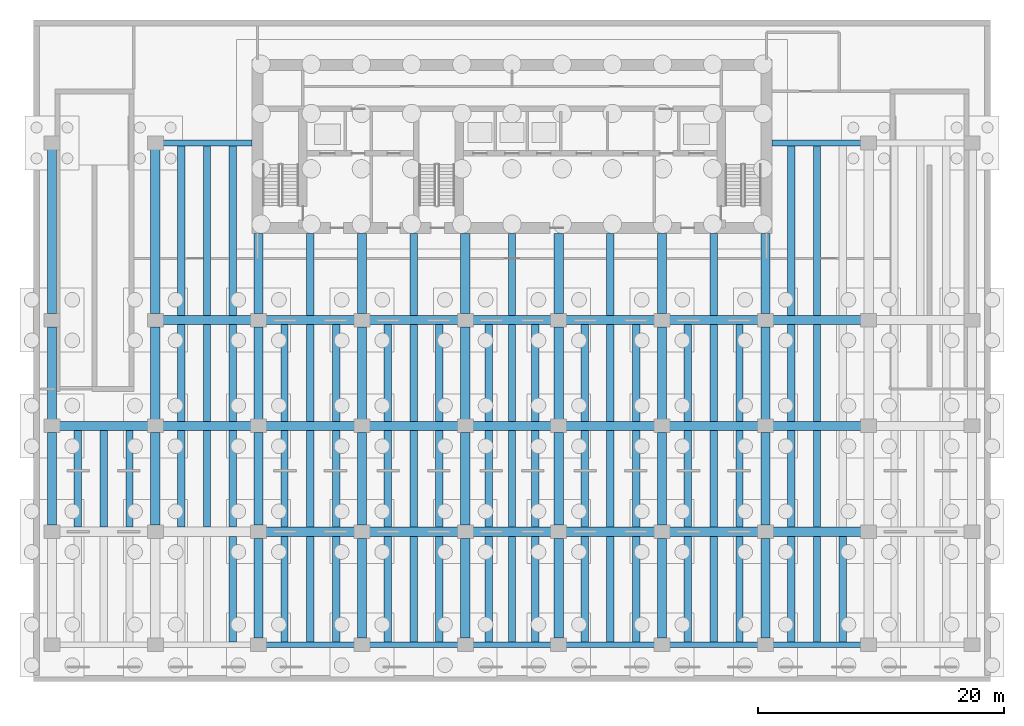
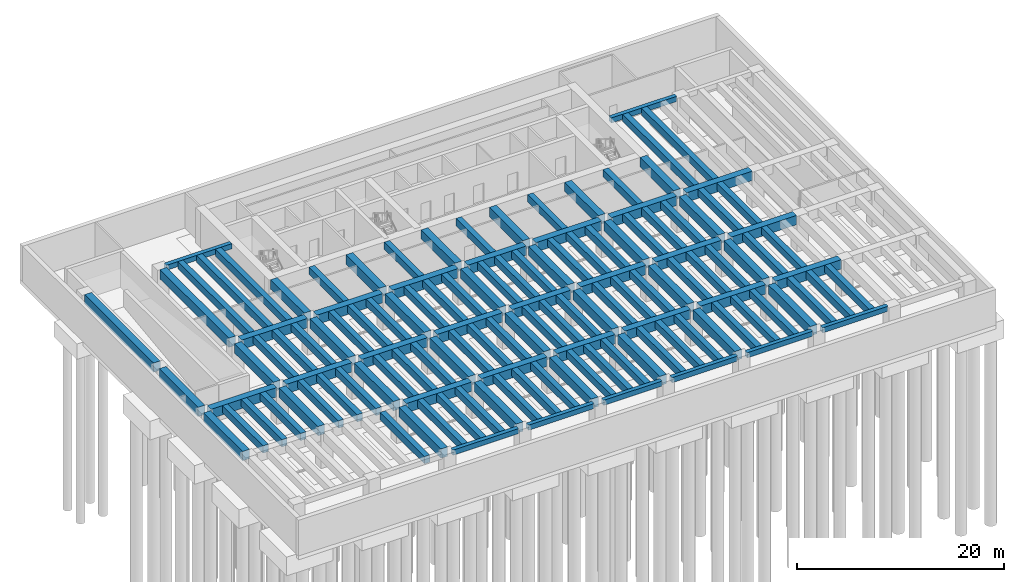
# One storey, part 3 of 10: 131 beams.
"""IFC4 building model written with IfcOpenShell, lengths in metres."""

from ifc_helpers import new_model, si_unit, direction, frame, origin, origin_2d, place, context, subcontext, project, spatial, rectangle, extrude, material, material_profile, profile_set, type_object, element, save


model = new_model("IFC4")

# Units and contexts
model_context = context("Model", 3, precision=1e-05, world=origin(), true_north=direction((0.0, 1.0)))
body_context = subcontext(model_context, "Body", "Model", "MODEL_VIEW")
ifc_project = project(units=[si_unit("LENGTHUNIT", "METRE"), si_unit("AREAUNIT", "SQUARE_METRE"), si_unit("VOLUMEUNIT", "CUBIC_METRE"), si_unit("PLANEANGLEUNIT", "RADIAN"), si_unit("MASSUNIT", "GRAM", prefix="KILO")], contexts=[model_context])

# Site, building, storey
site_placement = place(None, origin())
site = spatial("IfcSite", under=ifc_project, at=site_placement, CompositionType="ELEMENT")
building_placement = place(site_placement, origin())
building = spatial("IfcBuilding", under=site, at=building_placement, Name="Caelmar Bay Residences", CompositionType="ELEMENT")
storey_placement = place(building_placement, frame((0.0, 0.0, -9.0)))
storey = spatial("IfcBuildingStorey", under=building, at=storey_placement, Name="B02", CompositionType="ELEMENT", Elevation=-9.0)

# Beams
ifc_material_1 = material(Name="Concrete f'c 40 MPa (6,000 psi)", Category="concrete")
ifc_material_profile_1 = material_profile(ifc_material_1, rectangle(XDim=0.449951171875, YDim=0.60009765625, at=origin_2d()), Name="RC-BM-450X600")
ifc_profile_set_1 = profile_set([ifc_material_profile_1], Name="Concrete f'c 40 MPa (6,000 psi)")
beam_type_1 = type_object("IfcBeamType", Name="BM-RC-450X600", PredefinedType="SPANDREL", material=ifc_profile_set_1)
beam_1_placement = place(storey_placement, frame((18.840087890625, 3.0, 3.89990234375), z_axis=(1.0, 0.0, 0.0), x_axis=(0.0, 1.0, 0.0)))
element("IfcBeam", 1, at=beam_1_placement, inside=storey, type_object=beam_type_1, Name="B02 East-West Girder Y=3.00 (18.3-26.7)", PredefinedType="SPANDREL", context=body_context, shape_type="SweptSolid", body=[
    extrude(rectangle(XDim=0.449951171875, YDim=0.60009765625, at=origin_2d()), origin(), (0.0, 0.0, 1.0), 7.31982421875),
])
beam_2_placement = place(storey_placement, frame((27.239990234375, 3.0, 3.89990234375), z_axis=(1.0, 0.0, 0.0), x_axis=(0.0, 1.0, 0.0)))
element("IfcBeam", 2, at=beam_2_placement, inside=storey, type_object=beam_type_1, Name="B02 East-West Girder Y=3.00 (26.7-35.1)", PredefinedType="SPANDREL", context=body_context, shape_type="SweptSolid", body=[
    extrude(rectangle(XDim=0.449951171875, YDim=0.60009765625, at=origin_2d()), origin(), (0.0, 0.0, 1.0), 7.320068359375),
])
beam_3_placement = place(storey_placement, frame((35.639892578125, 3.0, 3.89990234375), z_axis=(1.0, 0.0, 0.0), x_axis=(0.0, 1.0, 0.0)))
element("IfcBeam", 3, at=beam_3_placement, inside=storey, type_object=beam_type_1, Name="B02 East-West Girder Y=3.00 (35.1-42.7)", PredefinedType="SPANDREL", context=body_context, shape_type="SweptSolid", body=[
    extrude(rectangle(XDim=0.449951171875, YDim=0.60009765625, at=origin_2d()), origin(), (0.0, 0.0, 1.0), 6.52001953125),
])
for number, where, z_axis, x_axis, name in (
    (4, (43.239990234375, 3.0, 3.89990234375), (1.0, 0.0, 0.0), (0.0, 1.0, 0.0), "B02 East-West Girder Y=3.00 (42.7-51.1)"),
    (5, (51.639892578125, 3.0, 3.89990234375), (1.0, 0.0, 0.0), (0.0, 1.0, 0.0), "B02 East-West Girder Y=3.00 (51.1-59.5)"),
    (6, (60.0400390625, 3.0, 3.89990234375), (1.0, 0.0, 0.0), (0.0, 1.0, 0.0), "B02 East-West Girder Y=3.00 (59.5-67.9)"),
):
    element("IfcBeam", number, at=place(storey_placement, frame(where, z_axis=z_axis, x_axis=x_axis)), inside=storey, type_object=beam_type_1, Name=name, PredefinedType="SPANDREL", context=body_context, shape_type="SweptSolid", body=[
        extrude(rectangle(XDim=0.449951171875, YDim=0.60009765625, at=origin_2d()), origin(), (0.0, 0.0, 1.0), 7.320068359375),
    ])
for number, where, z_axis, x_axis, name in (
    (7, (10.43994140625, 43.800048828125, 3.89990234375), (1.0, 0.0, 0.0), (0.0, 1.0, 0.0), "B02 North-West Wing Core Tie Girder"),
    (8, (60.050048828125, 43.800048828125, 3.89990234375), (1.0, 0.0, 0.0), (0.0, 1.0, 0.0), "B02 North-East Wing Core Tie Girder"),
):
    element("IfcBeam", number, at=place(storey_placement, frame(where, z_axis=z_axis, x_axis=x_axis)), inside=storey, type_object=beam_type_1, Name=name, PredefinedType="SPANDREL", context=body_context, shape_type="SweptSolid", body=[
        extrude(rectangle(XDim=0.449951171875, YDim=0.60009765625, at=origin_2d()), origin(), (0.0, 0.0, 1.0), 7.31005859375),
    ])
ifc_material_2 = material(Name="Concrete f'c 70 MPa (10,000 psi)", Category="concrete")
ifc_material_profile_2 = material_profile(ifc_material_2, rectangle(XDim=0.60009765625, YDim=0.85009765625, at=origin_2d()), Name="RC-BM-600X850")
ifc_profile_set_2 = profile_set([ifc_material_profile_2], Name="Concrete f'c 70 MPa (10,000 psi)")
beam_type_2 = type_object("IfcBeamType", Name="BM-RC-600X850", PredefinedType="BEAM", material=ifc_profile_set_2)
for number, where, z_axis, x_axis, name in (
    (9, (16.199951171875, 3.22509765625, 3.77490234375), (0.0, 1.0, 0.0), (-1.0, 0.0, 0.0), "B02 Composite Floor Joist 6"),
    (10, (20.39990234375, 3.22509765625, 3.77490234375), (0.0, 1.0, 0.0), (-1.0, 0.0, 0.0), "B02 Composite Floor Joist 7"),
    (11, (22.5, 3.22509765625, 3.77490234375), (0.0, 1.0, 0.0), (-1.0, 0.0, 0.0), "B02 Composite Floor Joist 8"),
    (12, (24.60009765625, 3.22509765625, 3.77490234375), (0.0, 1.0, 0.0), (-1.0, 0.0, 0.0), "B02 Composite Floor Joist 9"),
    (13, (28.800048828125, 3.22509765625, 3.77490234375), (0.0, 1.0, 0.0), (-1.0, 0.0, 0.0), "B02 Composite Floor Joist 10"),
    (14, (30.89990234375, 3.22509765625, 3.77490234375), (0.0, 1.0, 0.0), (-1.0, 0.0, 0.0), "B02 Composite Floor Joist 11"),
    (15, (33.0, 3.22509765625, 3.77490234375), (0.0, 1.0, 0.0), (-1.0, 0.0, 0.0), "B02 Composite Floor Joist 12"),
    (16, (37.0, 3.22509765625, 3.77490234375), (0.0, 1.0, 0.0), (-1.0, 0.0, 0.0), "B02 Composite Floor Joist 13"),
    (17, (38.89990234375, 3.22509765625, 3.77490234375), (0.0, 1.0, 0.0), (-1.0, 0.0, 0.0), "B02 Composite Floor Joist 14"),
    (18, (40.800048828125, 3.22509765625, 3.77490234375), (0.0, 1.0, 0.0), (-1.0, 0.0, 0.0), "B02 Composite Floor Joist 15"),
    (19, (44.800048828125, 3.22509765625, 3.77490234375), (0.0, 1.0, 0.0), (-1.0, 0.0, 0.0), "B02 Composite Floor Joist 16"),
    (20, (46.89990234375, 3.22509765625, 3.77490234375), (0.0, 1.0, 0.0), (-1.0, 0.0, 0.0), "B02 Composite Floor Joist 17"),
    (21, (49.0, 3.22509765625, 3.77490234375), (0.0, 1.0, 0.0), (-1.0, 0.0, 0.0), "B02 Composite Floor Joist 18"),
    (22, (53.199951171875, 3.22509765625, 3.77490234375), (0.0, 1.0, 0.0), (-1.0, 0.0, 0.0), "B02 Composite Floor Joist 19"),
    (23, (55.300048828125, 3.22509765625, 3.77490234375), (0.0, 1.0, 0.0), (-1.0, 0.0, 0.0), "B02 Composite Floor Joist 20"),
    (24, (57.39990234375, 3.22509765625, 3.77490234375), (0.0, 1.0, 0.0), (-1.0, 0.0, 0.0), "B02 Composite Floor Joist 21"),
    (25, (61.60009765625, 3.22509765625, 3.77490234375), (0.0, 1.0, 0.0), (-1.0, 0.0, 0.0), "B02 Composite Floor Joist 22"),
    (26, (63.699951171875, 3.22509765625, 3.77490234375), (0.0, 1.0, 0.0), (-1.0, 0.0, 0.0), "B02 Composite Floor Joist 23"),
    (27, (65.800048828125, 3.22509765625, 3.77490234375), (0.0, 1.0, 0.0), (-1.0, 0.0, 0.0), "B02 Composite Floor Joist 24"),
):
    element("IfcBeam", number, at=place(storey_placement, frame(where, z_axis=z_axis, x_axis=x_axis)), inside=storey, type_object=beam_type_2, Name=name, PredefinedType="BEAM", context=body_context, shape_type="SweptSolid", body=[
        extrude(rectangle(XDim=0.60009765625, YDim=0.85009765625, at=origin_2d()), origin(), (0.0, 0.0, 1.0), 8.599853515625),
    ])
for number, where, z_axis, x_axis, name in (
    (28, (3.60009765625, 12.574951171875, 3.77490234375), (0.0, 1.0, 0.0), (-1.0, 0.0, 0.0), "B02 Composite Floor Joist 28"),
    (29, (5.699951171875, 12.574951171875, 3.77490234375), (0.0, 1.0, 0.0), (-1.0, 0.0, 0.0), "B02 Composite Floor Joist 29"),
    (30, (7.800048828125, 12.574951171875, 3.77490234375), (0.0, 1.0, 0.0), (-1.0, 0.0, 0.0), "B02 Composite Floor Joist 30"),
    (31, (12.0, 12.574951171875, 3.77490234375), (0.0, 1.0, 0.0), (-1.0, 0.0, 0.0), "B02 Composite Floor Joist 31"),
    (32, (14.10009765625, 12.574951171875, 3.77490234375), (0.0, 1.0, 0.0), (-1.0, 0.0, 0.0), "B02 Composite Floor Joist 32"),
    (33, (16.199951171875, 12.574951171875, 3.77490234375), (0.0, 1.0, 0.0), (-1.0, 0.0, 0.0), "B02 Composite Floor Joist 33"),
    (34, (20.39990234375, 12.574951171875, 3.77490234375), (0.0, 1.0, 0.0), (-1.0, 0.0, 0.0), "B02 Composite Floor Joist 34"),
    (35, (22.5, 12.574951171875, 3.77490234375), (0.0, 1.0, 0.0), (-1.0, 0.0, 0.0), "B02 Composite Floor Joist 35"),
    (36, (24.60009765625, 12.574951171875, 3.77490234375), (0.0, 1.0, 0.0), (-1.0, 0.0, 0.0), "B02 Composite Floor Joist 36"),
    (37, (28.800048828125, 12.574951171875, 3.77490234375), (0.0, 1.0, 0.0), (-1.0, 0.0, 0.0), "B02 Composite Floor Joist 37"),
    (38, (30.89990234375, 12.574951171875, 3.77490234375), (0.0, 1.0, 0.0), (-1.0, 0.0, 0.0), "B02 Composite Floor Joist 38"),
    (39, (33.0, 12.574951171875, 3.77490234375), (0.0, 1.0, 0.0), (-1.0, 0.0, 0.0), "B02 Composite Floor Joist 39"),
    (40, (37.0, 12.574951171875, 3.77490234375), (0.0, 1.0, 0.0), (-1.0, 0.0, 0.0), "B02 Composite Floor Joist 40"),
    (41, (38.89990234375, 12.574951171875, 3.77490234375), (0.0, 1.0, 0.0), (-1.0, 0.0, 0.0), "B02 Composite Floor Joist 41"),
    (42, (40.800048828125, 12.574951171875, 3.77490234375), (0.0, 1.0, 0.0), (-1.0, 0.0, 0.0), "B02 Composite Floor Joist 42"),
    (43, (44.800048828125, 12.574951171875, 3.77490234375), (0.0, 1.0, 0.0), (-1.0, 0.0, 0.0), "B02 Composite Floor Joist 43"),
    (44, (46.89990234375, 12.574951171875, 3.77490234375), (0.0, 1.0, 0.0), (-1.0, 0.0, 0.0), "B02 Composite Floor Joist 44"),
    (45, (49.0, 12.574951171875, 3.77490234375), (0.0, 1.0, 0.0), (-1.0, 0.0, 0.0), "B02 Composite Floor Joist 45"),
    (46, (53.199951171875, 12.574951171875, 3.77490234375), (0.0, 1.0, 0.0), (-1.0, 0.0, 0.0), "B02 Composite Floor Joist 46"),
    (47, (55.300048828125, 12.574951171875, 3.77490234375), (0.0, 1.0, 0.0), (-1.0, 0.0, 0.0), "B02 Composite Floor Joist 47"),
    (48, (57.39990234375, 12.574951171875, 3.77490234375), (0.0, 1.0, 0.0), (-1.0, 0.0, 0.0), "B02 Composite Floor Joist 48"),
    (49, (61.60009765625, 12.574951171875, 3.77490234375), (0.0, 1.0, 0.0), (-1.0, 0.0, 0.0), "B02 Composite Floor Joist 49"),
    (50, (63.699951171875, 12.574951171875, 3.77490234375), (0.0, 1.0, 0.0), (-1.0, 0.0, 0.0), "B02 Composite Floor Joist 50"),
):
    element("IfcBeam", number, at=place(storey_placement, frame(where, z_axis=z_axis, x_axis=x_axis)), inside=storey, type_object=beam_type_2, Name=name, PredefinedType="BEAM", context=body_context, shape_type="SweptSolid", body=[
        extrude(rectangle(XDim=0.60009765625, YDim=0.85009765625, at=origin_2d()), origin(), (0.0, 0.0, 1.0), 7.85009765625),
    ])
for number, where, z_axis, x_axis, name in (
    (51, (12.0, 21.175048828125, 3.77490234375), (0.0, 1.0, 0.0), (-1.0, 0.0, 0.0), "B02 Composite Floor Joist 55"),
    (52, (14.10009765625, 21.175048828125, 3.77490234375), (0.0, 1.0, 0.0), (-1.0, 0.0, 0.0), "B02 Composite Floor Joist 56"),
    (53, (16.199951171875, 21.175048828125, 3.77490234375), (0.0, 1.0, 0.0), (-1.0, 0.0, 0.0), "B02 Composite Floor Joist 57"),
    (54, (20.39990234375, 21.175048828125, 3.77490234375), (0.0, 1.0, 0.0), (-1.0, 0.0, 0.0), "B02 Composite Floor Joist 58"),
    (55, (22.5, 21.175048828125, 3.77490234375), (0.0, 1.0, 0.0), (-1.0, 0.0, 0.0), "B02 Composite Floor Joist 59"),
    (56, (24.60009765625, 21.175048828125, 3.77490234375), (0.0, 1.0, 0.0), (-1.0, 0.0, 0.0), "B02 Composite Floor Joist 60"),
    (57, (28.800048828125, 21.175048828125, 3.77490234375), (0.0, 1.0, 0.0), (-1.0, 0.0, 0.0), "B02 Composite Floor Joist 61"),
    (58, (30.89990234375, 21.175048828125, 3.77490234375), (0.0, 1.0, 0.0), (-1.0, 0.0, 0.0), "B02 Composite Floor Joist 62"),
    (59, (33.0, 21.175048828125, 3.77490234375), (0.0, 1.0, 0.0), (-1.0, 0.0, 0.0), "B02 Composite Floor Joist 63"),
    (60, (37.0, 21.175048828125, 3.77490234375), (0.0, 1.0, 0.0), (-1.0, 0.0, 0.0), "B02 Composite Floor Joist 64"),
    (61, (38.89990234375, 21.175048828125, 3.77490234375), (0.0, 1.0, 0.0), (-1.0, 0.0, 0.0), "B02 Composite Floor Joist 65"),
    (62, (40.800048828125, 21.175048828125, 3.77490234375), (0.0, 1.0, 0.0), (-1.0, 0.0, 0.0), "B02 Composite Floor Joist 66"),
    (63, (44.800048828125, 21.175048828125, 3.77490234375), (0.0, 1.0, 0.0), (-1.0, 0.0, 0.0), "B02 Composite Floor Joist 67"),
    (64, (46.89990234375, 21.175048828125, 3.77490234375), (0.0, 1.0, 0.0), (-1.0, 0.0, 0.0), "B02 Composite Floor Joist 68"),
    (65, (49.0, 21.175048828125, 3.77490234375), (0.0, 1.0, 0.0), (-1.0, 0.0, 0.0), "B02 Composite Floor Joist 69"),
    (66, (53.199951171875, 21.175048828125, 3.77490234375), (0.0, 1.0, 0.0), (-1.0, 0.0, 0.0), "B02 Composite Floor Joist 70"),
    (67, (55.300048828125, 21.175048828125, 3.77490234375), (0.0, 1.0, 0.0), (-1.0, 0.0, 0.0), "B02 Composite Floor Joist 71"),
    (68, (57.39990234375, 21.175048828125, 3.77490234375), (0.0, 1.0, 0.0), (-1.0, 0.0, 0.0), "B02 Composite Floor Joist 72"),
    (69, (61.60009765625, 21.175048828125, 3.77490234375), (0.0, 1.0, 0.0), (-1.0, 0.0, 0.0), "B02 Composite Floor Joist 73"),
    (70, (63.699951171875, 21.175048828125, 3.77490234375), (0.0, 1.0, 0.0), (-1.0, 0.0, 0.0), "B02 Composite Floor Joist 74"),
):
    element("IfcBeam", number, at=place(storey_placement, frame(where, z_axis=z_axis, x_axis=x_axis)), inside=storey, type_object=beam_type_2, Name=name, PredefinedType="BEAM", context=body_context, shape_type="SweptSolid", body=[
        extrude(rectangle(XDim=0.60009765625, YDim=0.85009765625, at=origin_2d()), origin(), (0.0, 0.0, 1.0), 7.849853515625),
    ])
for number, where, z_axis, x_axis, name in (
    (71, (22.5, 29.77490234375, 3.77490234375), (0.0, 1.0, 0.0), (-1.0, 0.0, 0.0), "B02 Core-Band Composite Joist 78"),
    (72, (30.89990234375, 29.77490234375, 3.77490234375), (0.0, 1.0, 0.0), (-1.0, 0.0, 0.0), "B02 Core-Band Composite Joist 79"),
    (73, (38.89990234375, 29.77490234375, 3.77490234375), (0.0, 1.0, 0.0), (-1.0, 0.0, 0.0), "B02 Core-Band Composite Joist 80"),
    (74, (46.89990234375, 29.77490234375, 3.77490234375), (0.0, 1.0, 0.0), (-1.0, 0.0, 0.0), "B02 Core-Band Composite Joist 81"),
    (75, (55.300048828125, 29.77490234375, 3.77490234375), (0.0, 1.0, 0.0), (-1.0, 0.0, 0.0), "B02 Core-Band Composite Joist 82"),
):
    element("IfcBeam", number, at=place(storey_placement, frame(where, z_axis=z_axis, x_axis=x_axis)), inside=storey, type_object=beam_type_2, Name=name, PredefinedType="BEAM", context=body_context, shape_type="SweptSolid", body=[
        extrude(rectangle(XDim=0.60009765625, YDim=0.85009765625, at=origin_2d()), origin(), (0.0, 0.0, 1.0), 6.675048828125),
    ])
for number, where, z_axis, x_axis, name in (
    (76, (12.0, 29.77490234375, 3.77490234375), (0.0, 1.0, 0.0), (-1.0, 0.0, 0.0), "B02 Composite Floor Joist 83"),
    (77, (14.10009765625, 29.77490234375, 3.77490234375), (0.0, 1.0, 0.0), (-1.0, 0.0, 0.0), "B02 Composite Floor Joist 84"),
    (78, (16.199951171875, 29.77490234375, 3.77490234375), (0.0, 1.0, 0.0), (-1.0, 0.0, 0.0), "B02 Composite Floor Joist 85"),
    (79, (61.60009765625, 29.77490234375, 3.77490234375), (0.0, 1.0, 0.0), (-1.0, 0.0, 0.0), "B02 Composite Floor Joist 86"),
    (80, (63.699951171875, 29.77490234375, 3.77490234375), (0.0, 1.0, 0.0), (-1.0, 0.0, 0.0), "B02 Composite Floor Joist 87"),
):
    element("IfcBeam", number, at=place(storey_placement, frame(where, z_axis=z_axis, x_axis=x_axis)), inside=storey, type_object=beam_type_2, Name=name, PredefinedType="BEAM", context=body_context, shape_type="SweptSolid", body=[
        extrude(rectangle(XDim=0.60009765625, YDim=0.85009765625, at=origin_2d()), origin(), (0.0, 0.0, 1.0), 13.800048828125),
    ])
ifc_material_profile_3 = material_profile(ifc_material_2, rectangle(XDim=0.75, YDim=1.10009765625, at=origin_2d()), Name="RC-BM-750X1100")
ifc_profile_set_3 = profile_set([ifc_material_profile_3], Name="Concrete f'c 70 MPa (10,000 psi)")
beam_type_3 = type_object("IfcBeamType", Name="BM-RC-750X1100", PredefinedType="BEAM", material=ifc_profile_set_3)
beam_4_placement = place(storey_placement, frame((18.840087890625, 12.199951171875, 3.64990234375), z_axis=(1.0, 0.0, 0.0), x_axis=(0.0, 1.0, 0.0)))
element("IfcBeam", 81, at=beam_4_placement, inside=storey, type_object=beam_type_3, Name="B02 East-West Girder Y=12.20 (18.3-26.7)", PredefinedType="BEAM", context=body_context, shape_type="SweptSolid", body=[
    extrude(rectangle(XDim=0.75, YDim=1.10009765625, at=origin_2d()), origin(), (0.0, 0.0, 1.0), 7.31982421875),
])
beam_5_placement = place(storey_placement, frame((27.239990234375, 12.199951171875, 3.64990234375), z_axis=(1.0, 0.0, 0.0), x_axis=(0.0, 1.0, 0.0)))
element("IfcBeam", 82, at=beam_5_placement, inside=storey, type_object=beam_type_3, Name="B02 East-West Girder Y=12.20 (26.7-35.1)", PredefinedType="BEAM", context=body_context, shape_type="SweptSolid", body=[
    extrude(rectangle(XDim=0.75, YDim=1.10009765625, at=origin_2d()), origin(), (0.0, 0.0, 1.0), 7.320068359375),
])
beam_6_placement = place(storey_placement, frame((35.639892578125, 12.199951171875, 3.64990234375), z_axis=(1.0, 0.0, 0.0), x_axis=(0.0, 1.0, 0.0)))
element("IfcBeam", 83, at=beam_6_placement, inside=storey, type_object=beam_type_3, Name="B02 East-West Girder Y=12.20 (35.1-42.7)", PredefinedType="BEAM", context=body_context, shape_type="SweptSolid", body=[
    extrude(rectangle(XDim=0.75, YDim=1.10009765625, at=origin_2d()), origin(), (0.0, 0.0, 1.0), 6.52001953125),
])
for number, where, z_axis, x_axis, name in (
    (84, (43.239990234375, 12.199951171875, 3.64990234375), (1.0, 0.0, 0.0), (0.0, 1.0, 0.0), "B02 East-West Girder Y=12.20 (42.7-51.1)"),
    (85, (51.639892578125, 12.199951171875, 3.64990234375), (1.0, 0.0, 0.0), (0.0, 1.0, 0.0), "B02 East-West Girder Y=12.20 (51.1-59.5)"),
    (86, (60.0400390625, 12.199951171875, 3.64990234375), (1.0, 0.0, 0.0), (0.0, 1.0, 0.0), "B02 East-West Girder Y=12.20 (59.5-67.9)"),
    (87, (2.0400390625, 20.800048828125, 3.64990234375), (1.0, 0.0, 0.0), (0.0, 1.0, 0.0), "B02 East-West Girder Y=20.80 (1.5-9.9)"),
    (88, (10.43994140625, 20.800048828125, 3.64990234375), (1.0, 0.0, 0.0), (0.0, 1.0, 0.0), "B02 East-West Girder Y=20.80 (9.9-18.3)"),
):
    element("IfcBeam", number, at=place(storey_placement, frame(where, z_axis=z_axis, x_axis=x_axis)), inside=storey, type_object=beam_type_3, Name=name, PredefinedType="BEAM", context=body_context, shape_type="SweptSolid", body=[
        extrude(rectangle(XDim=0.75, YDim=1.10009765625, at=origin_2d()), origin(), (0.0, 0.0, 1.0), 7.320068359375),
    ])
beam_7_placement = place(storey_placement, frame((18.840087890625, 20.800048828125, 3.64990234375), z_axis=(1.0, 0.0, 0.0), x_axis=(0.0, 1.0, 0.0)))
element("IfcBeam", 89, at=beam_7_placement, inside=storey, type_object=beam_type_3, Name="B02 East-West Girder Y=20.80 (18.3-26.7)", PredefinedType="BEAM", context=body_context, shape_type="SweptSolid", body=[
    extrude(rectangle(XDim=0.75, YDim=1.10009765625, at=origin_2d()), origin(), (0.0, 0.0, 1.0), 7.31982421875),
])
beam_8_placement = place(storey_placement, frame((27.239990234375, 20.800048828125, 3.64990234375), z_axis=(1.0, 0.0, 0.0), x_axis=(0.0, 1.0, 0.0)))
element("IfcBeam", 90, at=beam_8_placement, inside=storey, type_object=beam_type_3, Name="B02 East-West Girder Y=20.80 (26.7-35.1)", PredefinedType="BEAM", context=body_context, shape_type="SweptSolid", body=[
    extrude(rectangle(XDim=0.75, YDim=1.10009765625, at=origin_2d()), origin(), (0.0, 0.0, 1.0), 7.320068359375),
])
beam_9_placement = place(storey_placement, frame((35.639892578125, 20.800048828125, 3.64990234375), z_axis=(1.0, 0.0, 0.0), x_axis=(0.0, 1.0, 0.0)))
element("IfcBeam", 91, at=beam_9_placement, inside=storey, type_object=beam_type_3, Name="B02 East-West Girder Y=20.80 (35.1-42.7)", PredefinedType="BEAM", context=body_context, shape_type="SweptSolid", body=[
    extrude(rectangle(XDim=0.75, YDim=1.10009765625, at=origin_2d()), origin(), (0.0, 0.0, 1.0), 6.52001953125),
])
for number, where, z_axis, x_axis, name in (
    (92, (43.239990234375, 20.800048828125, 3.64990234375), (1.0, 0.0, 0.0), (0.0, 1.0, 0.0), "B02 East-West Girder Y=20.80 (42.7-51.1)"),
    (93, (51.639892578125, 20.800048828125, 3.64990234375), (1.0, 0.0, 0.0), (0.0, 1.0, 0.0), "B02 East-West Girder Y=20.80 (51.1-59.5)"),
    (94, (60.0400390625, 20.800048828125, 3.64990234375), (1.0, 0.0, 0.0), (0.0, 1.0, 0.0), "B02 East-West Girder Y=20.80 (59.5-67.9)"),
    (95, (10.43994140625, 29.39990234375, 3.64990234375), (1.0, 0.0, 0.0), (0.0, 1.0, 0.0), "B02 East-West Girder Y=29.40 (9.9-18.3)"),
):
    element("IfcBeam", number, at=place(storey_placement, frame(where, z_axis=z_axis, x_axis=x_axis)), inside=storey, type_object=beam_type_3, Name=name, PredefinedType="BEAM", context=body_context, shape_type="SweptSolid", body=[
        extrude(rectangle(XDim=0.75, YDim=1.10009765625, at=origin_2d()), origin(), (0.0, 0.0, 1.0), 7.320068359375),
    ])
beam_10_placement = place(storey_placement, frame((18.840087890625, 29.39990234375, 3.64990234375), z_axis=(1.0, 0.0, 0.0), x_axis=(0.0, 1.0, 0.0)))
element("IfcBeam", 96, at=beam_10_placement, inside=storey, type_object=beam_type_3, Name="B02 East-West Girder Y=29.40 (18.3-26.7)", PredefinedType="BEAM", context=body_context, shape_type="SweptSolid", body=[
    extrude(rectangle(XDim=0.75, YDim=1.10009765625, at=origin_2d()), origin(), (0.0, 0.0, 1.0), 7.31982421875),
])
beam_11_placement = place(storey_placement, frame((27.239990234375, 29.39990234375, 3.64990234375), z_axis=(1.0, 0.0, 0.0), x_axis=(0.0, 1.0, 0.0)))
element("IfcBeam", 97, at=beam_11_placement, inside=storey, type_object=beam_type_3, Name="B02 East-West Girder Y=29.40 (26.7-35.1)", PredefinedType="BEAM", context=body_context, shape_type="SweptSolid", body=[
    extrude(rectangle(XDim=0.75, YDim=1.10009765625, at=origin_2d()), origin(), (0.0, 0.0, 1.0), 7.320068359375),
])
beam_12_placement = place(storey_placement, frame((35.639892578125, 29.39990234375, 3.64990234375), z_axis=(1.0, 0.0, 0.0), x_axis=(0.0, 1.0, 0.0)))
element("IfcBeam", 98, at=beam_12_placement, inside=storey, type_object=beam_type_3, Name="B02 East-West Girder Y=29.40 (35.1-42.7)", PredefinedType="BEAM", context=body_context, shape_type="SweptSolid", body=[
    extrude(rectangle(XDim=0.75, YDim=1.10009765625, at=origin_2d()), origin(), (0.0, 0.0, 1.0), 6.52001953125),
])
for number, where, z_axis, x_axis, name in (
    (99, (43.239990234375, 29.39990234375, 3.64990234375), (1.0, 0.0, 0.0), (0.0, 1.0, 0.0), "B02 East-West Girder Y=29.40 (42.7-51.1)"),
    (100, (51.639892578125, 29.39990234375, 3.64990234375), (1.0, 0.0, 0.0), (0.0, 1.0, 0.0), "B02 East-West Girder Y=29.40 (51.1-59.5)"),
    (101, (60.0400390625, 29.39990234375, 3.64990234375), (1.0, 0.0, 0.0), (0.0, 1.0, 0.0), "B02 East-West Girder Y=29.40 (59.5-67.9)"),
):
    element("IfcBeam", number, at=place(storey_placement, frame(where, z_axis=z_axis, x_axis=x_axis)), inside=storey, type_object=beam_type_3, Name=name, PredefinedType="BEAM", context=body_context, shape_type="SweptSolid", body=[
        extrude(rectangle(XDim=0.75, YDim=1.10009765625, at=origin_2d()), origin(), (0.0, 0.0, 1.0), 7.320068359375),
    ])
for number, where, z_axis, x_axis, name in (
    (102, (1.5, 12.739990234375, 3.64990234375), (0.0, 1.0, 0.0), (-1.0, 0.0, 0.0), "B02 North-South Girder X=1.50 (12.2-20.8)"),
    (103, (1.5, 21.340087890625, 3.64990234375), (0.0, 1.0, 0.0), (-1.0, 0.0, 0.0), "B02 North-South Girder X=1.50 (20.8-29.4)"),
):
    element("IfcBeam", number, at=place(storey_placement, frame(where, z_axis=z_axis, x_axis=x_axis)), inside=storey, type_object=beam_type_3, Name=name, PredefinedType="BEAM", context=body_context, shape_type="SweptSolid", body=[
        extrude(rectangle(XDim=0.75, YDim=1.10009765625, at=origin_2d()), origin(), (0.0, 0.0, 1.0), 7.52001953125),
    ])
beam_13_placement = place(storey_placement, frame((1.5, 29.93994140625, 3.64990234375), z_axis=(0.0, 1.0, 0.0), x_axis=(-1.0, 0.0, 0.0)))
element("IfcBeam", 104, at=beam_13_placement, inside=storey, type_object=beam_type_3, Name="B02 North-South Girder X=1.50 (29.4-43.8)", PredefinedType="BEAM", context=body_context, shape_type="SweptSolid", body=[
    extrude(rectangle(XDim=0.75, YDim=1.10009765625, at=origin_2d()), origin(), (0.0, 0.0, 1.0), 13.320068359375),
])
for number, where, z_axis, x_axis, name in (
    (105, (9.89990234375, 12.739990234375, 3.64990234375), (0.0, 1.0, 0.0), (-1.0, 0.0, 0.0), "B02 North-South Girder X=9.90 (12.2-20.8)"),
    (106, (9.89990234375, 21.340087890625, 3.64990234375), (0.0, 1.0, 0.0), (-1.0, 0.0, 0.0), "B02 North-South Girder X=9.90 (20.8-29.4)"),
):
    element("IfcBeam", number, at=place(storey_placement, frame(where, z_axis=z_axis, x_axis=x_axis)), inside=storey, type_object=beam_type_3, Name=name, PredefinedType="BEAM", context=body_context, shape_type="SweptSolid", body=[
        extrude(rectangle(XDim=0.75, YDim=1.10009765625, at=origin_2d()), origin(), (0.0, 0.0, 1.0), 7.52001953125),
    ])
beam_14_placement = place(storey_placement, frame((9.89990234375, 29.93994140625, 3.64990234375), z_axis=(0.0, 1.0, 0.0), x_axis=(-1.0, 0.0, 0.0)))
element("IfcBeam", 107, at=beam_14_placement, inside=storey, type_object=beam_type_3, Name="B02 North-South Girder X=9.90 (29.4-43.8)", PredefinedType="BEAM", context=body_context, shape_type="SweptSolid", body=[
    extrude(rectangle(XDim=0.75, YDim=1.10009765625, at=origin_2d()), origin(), (0.0, 0.0, 1.0), 13.320068359375),
])
beam_15_placement = place(storey_placement, frame((18.300048828125, 29.93994140625, 3.64990234375), z_axis=(0.0, 1.0, 0.0), x_axis=(-1.0, 0.0, 0.0)))
element("IfcBeam", 108, at=beam_15_placement, inside=storey, type_object=beam_type_3, Name="B02 Core Tie Girder X=18.30", PredefinedType="BEAM", context=body_context, shape_type="SweptSolid", body=[
    extrude(rectangle(XDim=0.75, YDim=1.10009765625, at=origin_2d()), origin(), (0.0, 0.0, 1.0), 6.510009765625),
])
beam_16_placement = place(storey_placement, frame((18.300048828125, 3.5400390625, 3.64990234375), z_axis=(0.0, 1.0, 0.0), x_axis=(-1.0, 0.0, 0.0)))
element("IfcBeam", 109, at=beam_16_placement, inside=storey, type_object=beam_type_3, Name="B02 North-South Girder X=18.30 (3.0-12.2)", PredefinedType="BEAM", context=body_context, shape_type="SweptSolid", body=[
    extrude(rectangle(XDim=0.75, YDim=1.10009765625, at=origin_2d()), origin(), (0.0, 0.0, 1.0), 8.119873046875),
])
for number, where, z_axis, x_axis, name in (
    (110, (18.300048828125, 12.739990234375, 3.64990234375), (0.0, 1.0, 0.0), (-1.0, 0.0, 0.0), "B02 North-South Girder X=18.30 (12.2-20.8)"),
    (111, (18.300048828125, 21.340087890625, 3.64990234375), (0.0, 1.0, 0.0), (-1.0, 0.0, 0.0), "B02 North-South Girder X=18.30 (20.8-29.4)"),
):
    element("IfcBeam", number, at=place(storey_placement, frame(where, z_axis=z_axis, x_axis=x_axis)), inside=storey, type_object=beam_type_3, Name=name, PredefinedType="BEAM", context=body_context, shape_type="SweptSolid", body=[
        extrude(rectangle(XDim=0.75, YDim=1.10009765625, at=origin_2d()), origin(), (0.0, 0.0, 1.0), 7.52001953125),
    ])
beam_17_placement = place(storey_placement, frame((26.699951171875, 29.93994140625, 3.64990234375), z_axis=(0.0, 1.0, 0.0), x_axis=(-1.0, 0.0, 0.0)))
element("IfcBeam", 112, at=beam_17_placement, inside=storey, type_object=beam_type_3, Name="B02 Core Tie Girder X=26.70", PredefinedType="BEAM", context=body_context, shape_type="SweptSolid", body=[
    extrude(rectangle(XDim=0.75, YDim=1.10009765625, at=origin_2d()), origin(), (0.0, 0.0, 1.0), 6.510009765625),
])
beam_18_placement = place(storey_placement, frame((26.699951171875, 3.5400390625, 3.64990234375), z_axis=(0.0, 1.0, 0.0), x_axis=(-1.0, 0.0, 0.0)))
element("IfcBeam", 113, at=beam_18_placement, inside=storey, type_object=beam_type_3, Name="B02 North-South Girder X=26.70 (3.0-12.2)", PredefinedType="BEAM", context=body_context, shape_type="SweptSolid", body=[
    extrude(rectangle(XDim=0.75, YDim=1.10009765625, at=origin_2d()), origin(), (0.0, 0.0, 1.0), 8.119873046875),
])
for number, where, z_axis, x_axis, name in (
    (114, (26.699951171875, 12.739990234375, 3.64990234375), (0.0, 1.0, 0.0), (-1.0, 0.0, 0.0), "B02 North-South Girder X=26.70 (12.2-20.8)"),
    (115, (26.699951171875, 21.340087890625, 3.64990234375), (0.0, 1.0, 0.0), (-1.0, 0.0, 0.0), "B02 North-South Girder X=26.70 (20.8-29.4)"),
):
    element("IfcBeam", number, at=place(storey_placement, frame(where, z_axis=z_axis, x_axis=x_axis)), inside=storey, type_object=beam_type_3, Name=name, PredefinedType="BEAM", context=body_context, shape_type="SweptSolid", body=[
        extrude(rectangle(XDim=0.75, YDim=1.10009765625, at=origin_2d()), origin(), (0.0, 0.0, 1.0), 7.52001953125),
    ])
beam_19_placement = place(storey_placement, frame((35.10009765625, 29.93994140625, 3.64990234375), z_axis=(0.0, 1.0, 0.0), x_axis=(-1.0, 0.0, 0.0)))
element("IfcBeam", 116, at=beam_19_placement, inside=storey, type_object=beam_type_3, Name="B02 Core Tie Girder X=35.10", PredefinedType="BEAM", context=body_context, shape_type="SweptSolid", body=[
    extrude(rectangle(XDim=0.75, YDim=1.10009765625, at=origin_2d()), origin(), (0.0, 0.0, 1.0), 6.510009765625),
])
beam_20_placement = place(storey_placement, frame((35.10009765625, 3.5400390625, 3.64990234375), z_axis=(0.0, 1.0, 0.0), x_axis=(-1.0, 0.0, 0.0)))
element("IfcBeam", 117, at=beam_20_placement, inside=storey, type_object=beam_type_3, Name="B02 North-South Girder X=35.10 (3.0-12.2)", PredefinedType="BEAM", context=body_context, shape_type="SweptSolid", body=[
    extrude(rectangle(XDim=0.75, YDim=1.10009765625, at=origin_2d()), origin(), (0.0, 0.0, 1.0), 8.119873046875),
])
for number, where, z_axis, x_axis, name in (
    (118, (35.10009765625, 12.739990234375, 3.64990234375), (0.0, 1.0, 0.0), (-1.0, 0.0, 0.0), "B02 North-South Girder X=35.10 (12.2-20.8)"),
    (119, (35.10009765625, 21.340087890625, 3.64990234375), (0.0, 1.0, 0.0), (-1.0, 0.0, 0.0), "B02 North-South Girder X=35.10 (20.8-29.4)"),
):
    element("IfcBeam", number, at=place(storey_placement, frame(where, z_axis=z_axis, x_axis=x_axis)), inside=storey, type_object=beam_type_3, Name=name, PredefinedType="BEAM", context=body_context, shape_type="SweptSolid", body=[
        extrude(rectangle(XDim=0.75, YDim=1.10009765625, at=origin_2d()), origin(), (0.0, 0.0, 1.0), 7.52001953125),
    ])
beam_21_placement = place(storey_placement, frame((42.699951171875, 29.93994140625, 3.64990234375), z_axis=(0.0, 1.0, 0.0), x_axis=(-1.0, 0.0, 0.0)))
element("IfcBeam", 120, at=beam_21_placement, inside=storey, type_object=beam_type_3, Name="B02 Core Tie Girder X=42.70", PredefinedType="BEAM", context=body_context, shape_type="SweptSolid", body=[
    extrude(rectangle(XDim=0.75, YDim=1.10009765625, at=origin_2d()), origin(), (0.0, 0.0, 1.0), 6.510009765625),
])
beam_22_placement = place(storey_placement, frame((42.699951171875, 3.5400390625, 3.64990234375), z_axis=(0.0, 1.0, 0.0), x_axis=(-1.0, 0.0, 0.0)))
element("IfcBeam", 121, at=beam_22_placement, inside=storey, type_object=beam_type_3, Name="B02 North-South Girder X=42.70 (3.0-12.2)", PredefinedType="BEAM", context=body_context, shape_type="SweptSolid", body=[
    extrude(rectangle(XDim=0.75, YDim=1.10009765625, at=origin_2d()), origin(), (0.0, 0.0, 1.0), 8.119873046875),
])
for number, where, z_axis, x_axis, name in (
    (122, (42.699951171875, 12.739990234375, 3.64990234375), (0.0, 1.0, 0.0), (-1.0, 0.0, 0.0), "B02 North-South Girder X=42.70 (12.2-20.8)"),
    (123, (42.699951171875, 21.340087890625, 3.64990234375), (0.0, 1.0, 0.0), (-1.0, 0.0, 0.0), "B02 North-South Girder X=42.70 (20.8-29.4)"),
):
    element("IfcBeam", number, at=place(storey_placement, frame(where, z_axis=z_axis, x_axis=x_axis)), inside=storey, type_object=beam_type_3, Name=name, PredefinedType="BEAM", context=body_context, shape_type="SweptSolid", body=[
        extrude(rectangle(XDim=0.75, YDim=1.10009765625, at=origin_2d()), origin(), (0.0, 0.0, 1.0), 7.52001953125),
    ])
beam_23_placement = place(storey_placement, frame((51.10009765625, 29.93994140625, 3.64990234375), z_axis=(0.0, 1.0, 0.0), x_axis=(-1.0, 0.0, 0.0)))
element("IfcBeam", 124, at=beam_23_placement, inside=storey, type_object=beam_type_3, Name="B02 Core Tie Girder X=51.10", PredefinedType="BEAM", context=body_context, shape_type="SweptSolid", body=[
    extrude(rectangle(XDim=0.75, YDim=1.10009765625, at=origin_2d()), origin(), (0.0, 0.0, 1.0), 6.510009765625),
])
beam_24_placement = place(storey_placement, frame((51.10009765625, 3.5400390625, 3.64990234375), z_axis=(0.0, 1.0, 0.0), x_axis=(-1.0, 0.0, 0.0)))
element("IfcBeam", 125, at=beam_24_placement, inside=storey, type_object=beam_type_3, Name="B02 North-South Girder X=51.10 (3.0-12.2)", PredefinedType="BEAM", context=body_context, shape_type="SweptSolid", body=[
    extrude(rectangle(XDim=0.75, YDim=1.10009765625, at=origin_2d()), origin(), (0.0, 0.0, 1.0), 8.119873046875),
])
for number, where, z_axis, x_axis, name in (
    (126, (51.10009765625, 12.739990234375, 3.64990234375), (0.0, 1.0, 0.0), (-1.0, 0.0, 0.0), "B02 North-South Girder X=51.10 (12.2-20.8)"),
    (127, (51.10009765625, 21.340087890625, 3.64990234375), (0.0, 1.0, 0.0), (-1.0, 0.0, 0.0), "B02 North-South Girder X=51.10 (20.8-29.4)"),
):
    element("IfcBeam", number, at=place(storey_placement, frame(where, z_axis=z_axis, x_axis=x_axis)), inside=storey, type_object=beam_type_3, Name=name, PredefinedType="BEAM", context=body_context, shape_type="SweptSolid", body=[
        extrude(rectangle(XDim=0.75, YDim=1.10009765625, at=origin_2d()), origin(), (0.0, 0.0, 1.0), 7.52001953125),
    ])
beam_25_placement = place(storey_placement, frame((59.5, 29.93994140625, 3.64990234375), z_axis=(0.0, 1.0, 0.0), x_axis=(-1.0, 0.0, 0.0)))
element("IfcBeam", 128, at=beam_25_placement, inside=storey, type_object=beam_type_3, Name="B02 Core Tie Girder X=59.50", PredefinedType="BEAM", context=body_context, shape_type="SweptSolid", body=[
    extrude(rectangle(XDim=0.75, YDim=1.10009765625, at=origin_2d()), origin(), (0.0, 0.0, 1.0), 6.510009765625),
])
beam_26_placement = place(storey_placement, frame((59.5, 3.5400390625, 3.64990234375), z_axis=(0.0, 1.0, 0.0), x_axis=(-1.0, 0.0, 0.0)))
element("IfcBeam", 129, at=beam_26_placement, inside=storey, type_object=beam_type_3, Name="B02 North-South Girder X=59.50 (3.0-12.2)", PredefinedType="BEAM", context=body_context, shape_type="SweptSolid", body=[
    extrude(rectangle(XDim=0.75, YDim=1.10009765625, at=origin_2d()), origin(), (0.0, 0.0, 1.0), 8.119873046875),
])
for number, where, z_axis, x_axis, name in (
    (130, (59.5, 12.739990234375, 3.64990234375), (0.0, 1.0, 0.0), (-1.0, 0.0, 0.0), "B02 North-South Girder X=59.50 (12.2-20.8)"),
    (131, (59.5, 21.340087890625, 3.64990234375), (0.0, 1.0, 0.0), (-1.0, 0.0, 0.0), "B02 North-South Girder X=59.50 (20.8-29.4)"),
):
    element("IfcBeam", number, at=place(storey_placement, frame(where, z_axis=z_axis, x_axis=x_axis)), inside=storey, type_object=beam_type_3, Name=name, PredefinedType="BEAM", context=body_context, shape_type="SweptSolid", body=[
        extrude(rectangle(XDim=0.75, YDim=1.10009765625, at=origin_2d()), origin(), (0.0, 0.0, 1.0), 7.52001953125),
    ])

save(model, "model.ifc")
